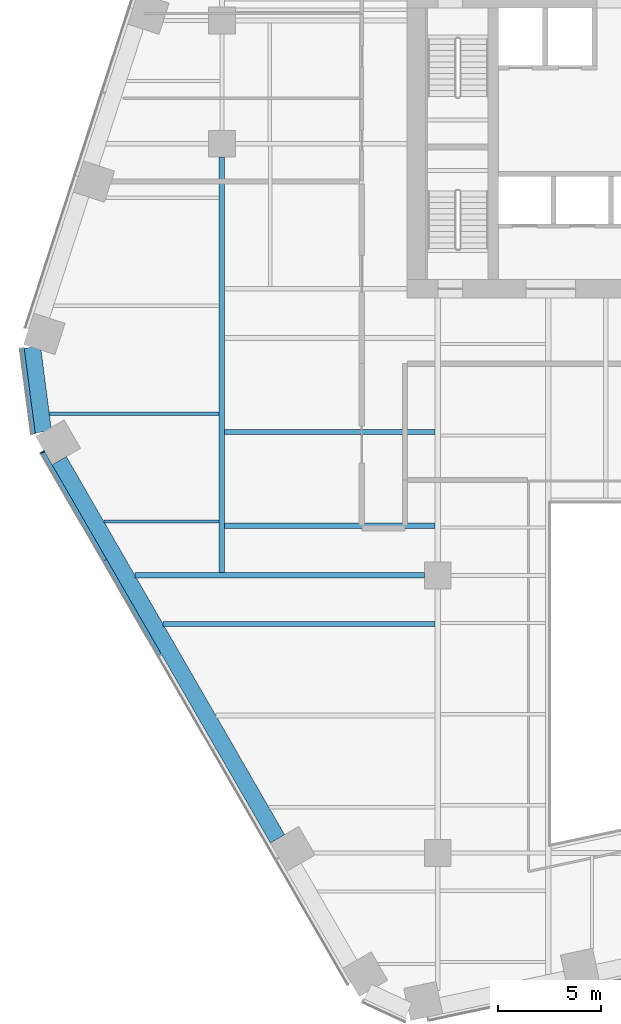
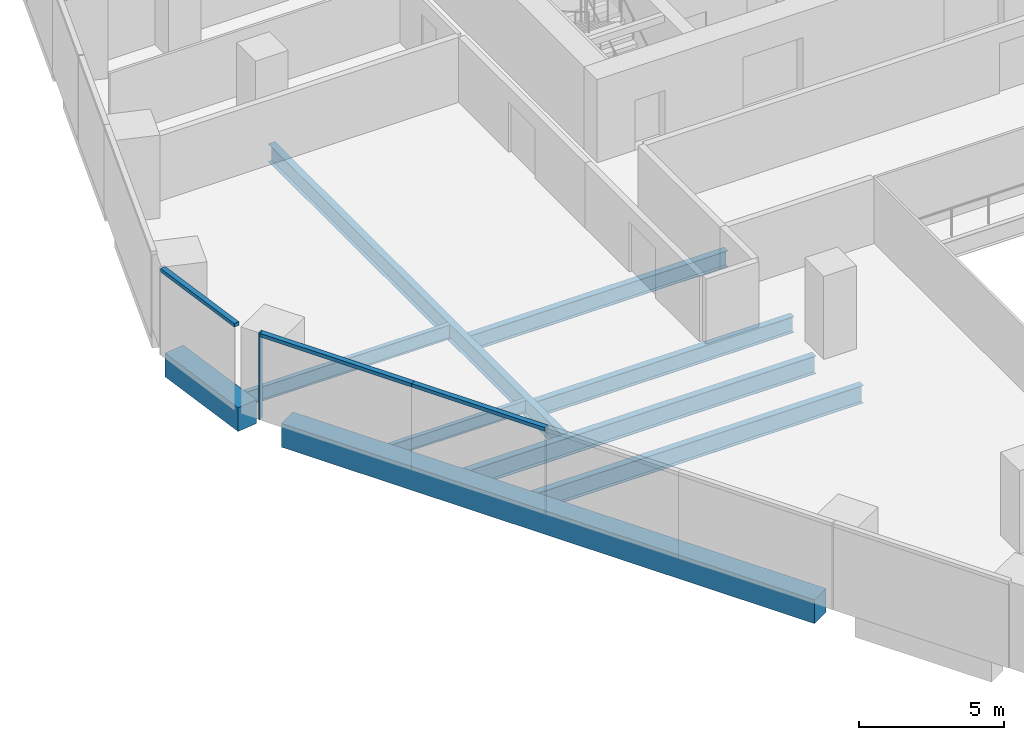
# One storey, part 3 of 19: 9 beams, 4 members, 2 elements without a shape of their own.
"""IFC4 building model written with IfcOpenShell, lengths in metres."""

from ifc_helpers import new_model, si_unit, direction, frame, origin, origin_2d, place, context, subcontext, project, spatial, rectangle, i_section, extrude, material, layer, layer_set, material_profile, profile_set, type_object, element, aggregate, save


model = new_model("IFC4")

# Units and contexts
model_context = context("Model", 3, precision=1e-05, world=origin(), true_north=direction((0.0, 1.0)))
body_context = subcontext(model_context, "Body", "Model", "MODEL_VIEW")
ifc_project = project(units=[si_unit("LENGTHUNIT", "METRE"), si_unit("AREAUNIT", "SQUARE_METRE"), si_unit("VOLUMEUNIT", "CUBIC_METRE"), si_unit("PLANEANGLEUNIT", "RADIAN"), si_unit("MASSUNIT", "GRAM", prefix="KILO")], contexts=[model_context])

# Site, building, storey
site_placement = place(None, origin())
site = spatial("IfcSite", under=ifc_project, at=site_placement, CompositionType="ELEMENT")
building_placement = place(site_placement, origin())
building = spatial("IfcBuilding", under=site, at=building_placement, Name="Isthmus Gate Tower", CompositionType="ELEMENT")
storey_placement = place(building_placement, frame((0.0, 0.0, 91.60009765625)))
storey = spatial("IfcBuildingStorey", under=building, at=storey_placement, Name="L21", CompositionType="ELEMENT", Elevation=91.60009765625)

# Curtain wall, member
ifc_material_1 = material(Name="Aluminium, pale champagne anodised", Category="aluminium")
ifc_layer = layer(ifc_material_1, 0.199951171875)
ifc_layer_set = layer_set([ifc_layer], Name="CW-1 UNITISED CURTAIN WALL 200 DEEP")
curtain_wall_type = type_object("IfcCurtainWallType", Name="CW-1 UNITISED CURTAIN WALL 200 DEEP", PredefinedType="NOTDEFINED", material=ifc_layer_set)
curtain_wall_1_placement = place(storey_placement, origin())
curtain_wall_1 = element("IfcCurtainWall", 1, at=curtain_wall_1_placement, inside=storey, type_object=curtain_wall_type, Name="CW-1 SW L21", PredefinedType="NOTDEFINED")
ifc_material_2 = material(Name="Aluminium, pale champagne anodised", Category="aluminium")
ifc_material_profile_1 = material_profile(ifc_material_2, rectangle(XDim=0.06005859375, YDim=0.199951171875, at=origin_2d()), Name="60x200")
ifc_profile_set_1 = profile_set([ifc_material_profile_1], Name="Aluminium, pale champagne anodised")
member_type_1 = type_object("IfcMemberType", Name="CW-1 MULLION 60 X 200", PredefinedType="MULLION", material=ifc_profile_set_1)
member_1_placement = place(storey_placement, frame((-32.7353515625, -7.500732421875, 0.0), z_axis=(0.0, 0.0, 1.0), x_axis=(0.5, -0.866025403784, 0.0)))
member_1 = element("IfcMember", 2, at=member_1_placement, type_object=member_type_1, Name="CW-1 mullion", PredefinedType="MULLION", context=body_context, shape_type="SweptSolid", body=[
    extrude(rectangle(XDim=0.06005859375, YDim=0.199951171875, at=origin_2d()), origin(), (0.0, 0.0, 1.0), 3.64990234375),
])

curtain_wall_2_placement = place(storey_placement, origin())
curtain_wall_2 = element("IfcCurtainWall", 3, at=curtain_wall_2_placement, inside=storey, type_object=curtain_wall_type, Name="CW-1 NW-SW L21", PredefinedType="NOTDEFINED")
ifc_material_3 = material(Name="Aluminium, pale champagne anodised", Category="aluminium")
ifc_material_profile_2 = material_profile(ifc_material_3, rectangle(XDim=0.199951171875, YDim=0.14990234375, at=origin_2d()), Name="200x150")
ifc_profile_set_2 = profile_set([ifc_material_profile_2], Name="Aluminium, pale champagne anodised")
member_type_2 = type_object("IfcMemberType", Name="CW-1 TRANSOM 200 X 150", PredefinedType="USERDEFINED", material=ifc_profile_set_2)
member_2_placement = place(storey_placement, frame((-33.71923828125, -2.474609375, 3.574951171875), z_axis=(0.129206893318, -0.991617657527, 0.0), x_axis=(0.991617657527, 0.129206893318, 0.0)))
member_2 = element("IfcMember", 4, at=member_2_placement, type_object=member_type_2, Name="CW-1 transom", ObjectType="TRANSOM", PredefinedType="USERDEFINED", context=body_context, shape_type="SweptSolid", body=[
    extrude(rectangle(XDim=0.199951171875, YDim=0.14990234375, at=origin_2d()), origin(), (0.0, 0.0, 1.0), 4.181640625),
])
aggregate(curtain_wall_2, [member_2])

# Member
member_3_placement = place(storey_placement, frame((-32.720458984375, -7.526611328125, 3.574951171875), z_axis=(0.500011280007, -0.866018891171, 0.0), x_axis=(0.866018891171, 0.500011280007, 0.0)))
member_3 = element("IfcMember", 5, at=member_3_placement, type_object=member_type_2, Name="CW-1 transom", ObjectType="TRANSOM", PredefinedType="USERDEFINED", context=body_context, shape_type="SweptSolid", body=[
    extrude(rectangle(XDim=0.199951171875, YDim=0.14990234375, at=origin_2d()), origin(), (0.0, 0.0, 1.0), 6.048583984375),
])

member_4_placement = place(storey_placement, frame((-29.696044921875, -12.764892578125, 3.574951171875), z_axis=(0.499997139945, -0.866027055032, 0.0), x_axis=(0.866027055032, 0.499997139945, 0.0)))
member_4 = element("IfcMember", 6, at=member_4_placement, type_object=member_type_2, Name="CW-1 transom", ObjectType="TRANSOM", PredefinedType="USERDEFINED", context=body_context, shape_type="SweptSolid", body=[
    extrude(rectangle(XDim=0.199951171875, YDim=0.14990234375, at=origin_2d()), origin(), (0.0, 0.0, 1.0), 5.30859375),
])

aggregate(curtain_wall_1, [member_1, member_3, member_4])

# Beams
ifc_material_4 = material(Name="Concrete f'c 70 MPa", Category="concrete")
ifc_material_profile_3 = material_profile(ifc_material_4, rectangle(XDim=0.800048828125, YDim=1.0, at=origin_2d()), Name="RC 800X1000")
ifc_profile_set_3 = profile_set([ifc_material_profile_3], Name="Concrete f'c 70 MPa")
beam_type_1 = type_object("IfcBeamType", Name="RC SPANDREL 800 X 1000", PredefinedType="SPANDREL", material=ifc_profile_set_3)
beam_1_placement = place(storey_placement, frame((-21.300048828125, -26.30712890625, -0.5), z_axis=(-0.499997139945, 0.866027055032, 0.0), x_axis=(-0.866027055032, -0.499997139945, 0.0)))
element("IfcBeam", 7, at=beam_1_placement, inside=storey, type_object=beam_type_1, Name="str-spandrel-L21-16", PredefinedType="SPANDREL", context=body_context, shape_type="SweptSolid", body=[
    extrude(rectangle(XDim=0.800048828125, YDim=1.0, at=origin_2d()), origin(), (0.0, 0.0, 1.0), 21.234375),
])
beam_2_placement = place(storey_placement, frame((-32.6884765625, -6.515380859375, -0.5), z_axis=(-0.129170777359, 0.991622362735, 0.0), x_axis=(-0.991622362735, -0.129170777359, 0.0)))
element("IfcBeam", 8, at=beam_2_placement, inside=storey, type_object=beam_type_1, Name="str-spandrel-L21-17", PredefinedType="SPANDREL", context=body_context, shape_type="SweptSolid", body=[
    extrude(rectangle(XDim=0.800048828125, YDim=1.0, at=origin_2d()), origin(), (0.0, 0.0, 1.0), 4.15234375),
])
ifc_material_5 = material(Name="Structural steel ASTM A992 Gr 50", Category="steel")
ifc_material_profile_4 = material_profile(ifc_material_5, i_section(OverallWidth=0.1650390625, OverallDepth=0.52392578125, WebThickness=0.009521484375, FlangeThickness=0.010986328125, at=origin_2d()), Name="W21X44")
ifc_profile_set_4 = profile_set([ifc_material_profile_4], Name="Structural steel ASTM A992 Gr 50")
beam_type_2 = type_object("IfcBeamType", Name="STEEL FLOOR BEAM W21X44", PredefinedType="JOIST", material=ifc_profile_set_4)
beam_3_placement = place(storey_placement, frame((-29.748046875, -10.875, -0.412109375), z_axis=(1.0, 0.0, 0.0), x_axis=(0.0, 1.0, 0.0)))
element("IfcBeam", 9, at=beam_3_placement, inside=storey, type_object=beam_type_2, Name="str-beam-L21-00-00", PredefinedType="JOIST", context=body_context, shape_type="SweptSolid", body=[
    extrude(i_section(OverallWidth=0.1650390625, OverallDepth=0.52392578125, WebThickness=0.009521484375, FlangeThickness=0.010986328125, at=origin_2d()), origin(), (0.0, 0.0, 1.0), 5.61474609375),
])
ifc_material_6 = material(Name="Structural steel ASTM A992 Gr 50", Category="steel")
ifc_material_profile_5 = material_profile(ifc_material_6, i_section(OverallWidth=0.177734375, OverallDepth=0.60009765625, WebThickness=0.009521484375, FlangeThickness=0.0126953125, at=origin_2d()), Name="W24X55")
ifc_profile_set_5 = profile_set([ifc_material_profile_5], Name="Structural steel ASTM A992 Gr 50")
beam_type_3 = type_object("IfcBeamType", Name="STEEL FLOOR BEAM W24X55", PredefinedType="JOIST", material=ifc_profile_set_5)
beam_4_placement = place(storey_placement, frame((-32.401123046875, -5.625, -0.4501953125), z_axis=(1.0, 0.0, 0.0), x_axis=(0.0, 1.0, 0.0)))
element("IfcBeam", 10, at=beam_4_placement, inside=storey, type_object=beam_type_3, Name="str-beam-L21-00-01", PredefinedType="JOIST", context=body_context, shape_type="SweptSolid", body=[
    extrude(i_section(OverallWidth=0.177734375, OverallDepth=0.60009765625, WebThickness=0.009521484375, FlangeThickness=0.0126953125, at=origin_2d()), origin(), (0.0, 0.0, 1.0), 8.267822265625),
])
ifc_material_7 = material(Name="Structural steel ASTM A992 Gr 50", Category="steel")
ifc_material_profile_6 = material_profile(ifc_material_7, i_section(OverallWidth=0.25390625, OverallDepth=0.679443359375, WebThickness=0.010986328125, FlangeThickness=0.015869140625, at=origin_2d()), Name="W27X84")
ifc_profile_set_6 = profile_set([ifc_material_profile_6], Name="Structural steel ASTM A992 Gr 50")
beam_type_4 = type_object("IfcBeamType", Name="STEEL FLOOR BEAM W27X84", PredefinedType="JOIST", material=ifc_profile_set_6)
for number, where, z_axis, x_axis, name in (
    (11, (-23.86669921875, -11.0830078125, -0.48974609375), (1.0, 0.0, 0.0), (0.0, 1.0, 0.0), "str-beam-L21-08-00"),
    (12, (-23.86669921875, -6.515380859375, -0.48974609375), (1.0, 0.0, 0.0), (0.0, 1.0, 0.0), "str-beam-L21-08-01"),
):
    element("IfcBeam", number, at=place(storey_placement, frame(where, z_axis=z_axis, x_axis=x_axis)), inside=storey, type_object=beam_type_4, Name=name, PredefinedType="JOIST", context=body_context, shape_type="SweptSolid", body=[
        extrude(i_section(OverallWidth=0.25390625, OverallDepth=0.679443359375, WebThickness=0.010986328125, FlangeThickness=0.015869140625, at=origin_2d()), origin(), (0.0, 0.0, 1.0), 10.23486328125),
    ])
ifc_material_8 = material(Name="Structural steel ASTM A992 Gr 50", Category="steel")
ifc_material_profile_7 = material_profile(ifc_material_8, i_section(OverallWidth=0.263427734375, OverallDepth=0.749267578125, WebThickness=0.0126953125, FlangeThickness=0.015869140625, at=origin_2d()), Name="W30X90")
ifc_profile_set_7 = profile_set([ifc_material_profile_7], Name="Structural steel ASTM A992 Gr 50")
beam_type_5 = type_object("IfcBeamType", Name="STEEL FLOOR BEAM W30X90", PredefinedType="JOIST", material=ifc_profile_set_7)
beam_5_placement = place(storey_placement, frame((-26.869140625, -15.861083984375, -0.524658203125), z_axis=(1.0, 0.0, 0.0), x_axis=(0.0, 1.0, 0.0)))
element("IfcBeam", 13, at=beam_5_placement, inside=storey, type_object=beam_type_5, Name="str-beam-L21-06-02", PredefinedType="JOIST", context=body_context, shape_type="SweptSolid", body=[
    extrude(i_section(OverallWidth=0.263427734375, OverallDepth=0.749267578125, WebThickness=0.0126953125, FlangeThickness=0.015869140625, at=origin_2d()), origin(), (0.0, 0.0, 1.0), 13.2373046875),
])
ifc_material_9 = material(Name="Structural steel ASTM A992 Gr 50", Category="steel")
ifc_material_profile_8 = material_profile(ifc_material_9, i_section(OverallWidth=0.2666015625, OverallDepth=0.7587890625, WebThickness=0.014404296875, FlangeThickness=0.01904296875, at=origin_2d()), Name="W30X108")
ifc_profile_set_8 = profile_set([ifc_material_profile_8], Name="Structural steel ASTM A992 Gr 50")
beam_type_6 = type_object("IfcBeamType", Name="STEEL GIRDER W30X108", PredefinedType="BEAM", material=ifc_profile_set_8)
beam_6_placement = place(storey_placement, frame((-28.232421875, -13.5, -0.529541015625), z_axis=(1.0, 0.0, 0.0), x_axis=(0.0, 1.0, 0.0)))
element("IfcBeam", 14, at=beam_6_placement, inside=storey, type_object=beam_type_6, Name="str-girder-L21-05", PredefinedType="BEAM", context=body_context, shape_type="SweptSolid", body=[
    extrude(i_section(OverallWidth=0.2666015625, OverallDepth=0.7587890625, WebThickness=0.014404296875, FlangeThickness=0.01904296875, at=origin_2d()), origin(), (0.0, 0.0, 1.0), 14.08251953125),
])
beam_7_placement = place(storey_placement, frame((-24.0, -13.36669921875, -0.529541015625), z_axis=(0.0, 1.0, 0.0), x_axis=(-1.0, 0.0, 0.0)))
element("IfcBeam", 15, at=beam_7_placement, inside=storey, type_object=beam_type_6, Name="str-girder-L21-21", PredefinedType="BEAM", context=body_context, shape_type="SweptSolid", body=[
    extrude(i_section(OverallWidth=0.2666015625, OverallDepth=0.7587890625, WebThickness=0.014404296875, FlangeThickness=0.01904296875, at=origin_2d()), origin(), (0.0, 0.0, 1.0), 20.216796875),
])

save(model, "model.ifc")
